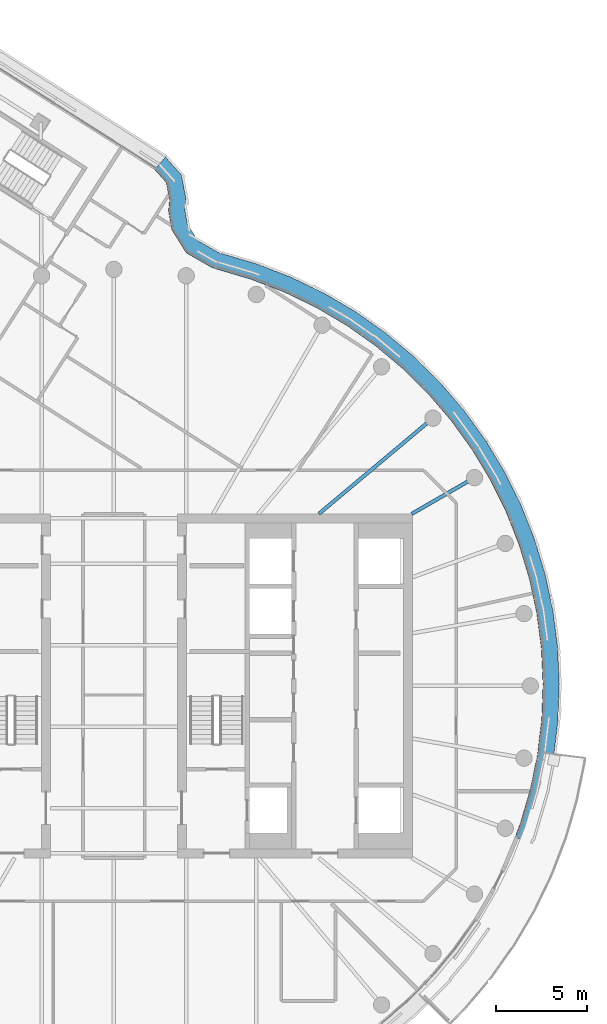
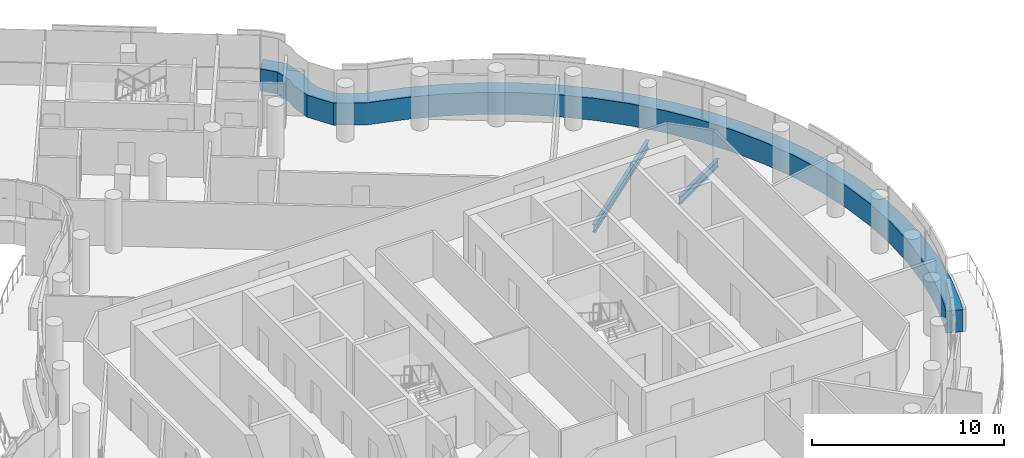
# One storey, part 12 of 27: 2 beams, 1 member, 1 element without a shape of its own.
"""IFC4 building model written with IfcOpenShell, lengths in metres."""

from ifc_helpers import new_model, si_unit, direction, frame, origin, origin_2d, place, context, subcontext, project, spatial, polyline, i_section, outline, extrude, material, layer, layer_set, material_profile, profile_set, type_object, element, aggregate, save


model = new_model("IFC4")

# Units and contexts
model_context = context("Model", 3, precision=1e-05, world=origin(), true_north=direction((0.0, 1.0)))
body_context = subcontext(model_context, "Body", "Model", "MODEL_VIEW")
ifc_project = project(units=[si_unit("LENGTHUNIT", "METRE"), si_unit("AREAUNIT", "SQUARE_METRE"), si_unit("VOLUMEUNIT", "CUBIC_METRE"), si_unit("PLANEANGLEUNIT", "RADIAN"), si_unit("MASSUNIT", "GRAM", prefix="KILO")], contexts=[model_context])

# Site, building, storey
site_placement = place(None, origin())
site = spatial("IfcSite", under=ifc_project, at=site_placement, CompositionType="ELEMENT")
building_placement = place(site_placement, origin())
building = spatial("IfcBuilding", under=site, at=building_placement, Name="Tamarind Cross Interchange Tower", CompositionType="ELEMENT")
storey_placement = place(building_placement, frame((0.0, 0.0, 241.5)))
storey = spatial("IfcBuildingStorey", under=building, at=storey_placement, Name="L61", CompositionType="ELEMENT", Elevation=241.5)

# Beams
ifc_material_1 = material(Name="Steel Q355B", Category="steel")
ifc_material_profile = material_profile(ifc_material_1, i_section(OverallWidth=0.198974609375, OverallDepth=0.49609375, WebThickness=0.009033203125, FlangeThickness=0.013916015625, FilletRadius=0.012939453125, at=origin_2d()), Name="HN 496x199x9x14")
ifc_profile_set = profile_set([ifc_material_profile], Name="Steel Q355B")
beam_type = type_object("IfcBeamType", Name="Composite beam HN 496x199x9x14 Q355B", PredefinedType="BEAM", material=ifc_profile_set)
beam_1_placement = place(storey_placement, frame((19.918701171875, 11.5, -0.387939453125), z_axis=(-0.866026010844, -0.49999894854, 0.0), x_axis=(0.49999894854, -0.866026010844, 0.0)))
element("IfcBeam", 1, at=beam_1_placement, inside=storey, type_object=beam_type, Name="Beam HH03", PredefinedType="BEAM", context=body_context, shape_type="SweptSolid", body=[
    extrude(i_section(OverallWidth=0.198974609375, OverallDepth=0.49609375, WebThickness=0.009033203125, FlangeThickness=0.013916015625, FilletRadius=0.012939453125, at=origin_2d()), origin(), (0.0, 0.0, 1.0), 4.0),
])
beam_2_placement = place(storey_placement, frame((17.619140625, 14.7841796875, -0.387939453125), z_axis=(-0.766040580814, -0.642792212574, 0.0), x_axis=(0.642792212574, -0.766040580814, 0.0)))
element("IfcBeam", 2, at=beam_2_placement, inside=storey, type_object=beam_type, Name="Beam HH04", PredefinedType="BEAM", context=body_context, shape_type="SweptSolid", body=[
    extrude(i_section(OverallWidth=0.198974609375, OverallDepth=0.49609375, WebThickness=0.009033203125, FlangeThickness=0.013916015625, FilletRadius=0.012939453125, at=origin_2d()), origin(), (0.0, 0.0, 1.0), 8.220703125),
])

# Curtain wall, member
ifc_material_2 = material(Name="Aluminium 6063-T6", Category="aluminium")
ifc_layer = layer(ifc_material_2, 0.139892578125)
ifc_layer_set = layer_set([ifc_layer], Name="Aluminium 6063-T6")
curtain_wall_type = type_object("IfcCurtainWallType", Name="Hotel curtain wall, 4.5 m bays", PredefinedType="NOTDEFINED", material=ifc_layer_set)
curtain_wall_placement = place(storey_placement, origin())
curtain_wall = element("IfcCurtainWall", 3, at=curtain_wall_placement, inside=storey, type_object=curtain_wall_type, Name="CWS-L61-02", PredefinedType="NOTDEFINED")
ifc_material_3 = material(Name="Aluminium and insulated spandrel panel", Category="aluminium")
member_type = type_object("IfcMemberType", Name="Floor-edge blade transom", PredefinedType="USERDEFINED", material=ifc_material_3)
member_placement = place(storey_placement, origin())
member = element("IfcMember", 4, at=member_placement, type_object=member_type, Name="CWT-L61-02-1", ObjectType="TRANSOM", PredefinedType="USERDEFINED", context=body_context, shape_type="SweptSolid", body=[
    extrude(outline(polyline([(22.154052734375, -8.35205078125), (22.444580078125, -7.597412109375), (22.995361328125, -5.718017578125), (23.38916015625, -3.799560546875), (23.623046875, -1.855224609375), (23.695556640625, 0.10205078125), (23.606201171875, 2.058349609375), (23.35546875, 4.000732421875), (22.9453125, 5.915771484375), (22.37841796875, 7.790283203125), (21.65869140625, 9.61181640625), (20.791015625, 11.367431640625), (19.78125, 13.045654296875), (18.636474609375, 14.634521484375), (17.3642578125, 16.12353515625), (15.973388671875, 17.50244140625), (14.4736328125, 18.76171875), (12.874755859375, 19.892822265625), (11.188232421875, 20.88818359375), (9.425048828125, 21.74072265625), (7.596923828125, 22.44482421875), (5.427001953125, 23.090087890625), (4.00244140625, 23.908935546875), (3.1806640625, 25.220703125), (3.017333984375, 26.255126953125), (3.0693359375, 26.8662109375), (2.892578125, 27.79931640625), (2.258544921875, 28.50634765625), (2.846435546875, 29.198974609375), (3.730224609375, 28.21337890625), (3.9765625, 26.91259765625), (3.92333984375, 26.28759765625), (4.041015625, 25.542724609375), (4.645751953125, 24.5771484375), (5.7841796875, 23.9228515625), (7.887451171875, 23.297607421875), (9.783203125, 22.567138671875), (11.613525390625, 21.68212890625), (13.3642578125, 20.64892578125), (15.023681640625, 19.474853515625), (16.580810546875, 18.167724609375), (18.0244140625, 16.736572265625), (19.344970703125, 15.19091796875), (20.533203125, 13.54150390625), (21.581298828125, 11.799560546875), (22.482177734375, 9.97705078125), (23.229248046875, 8.08642578125), (23.817626953125, 6.140625), (24.243408203125, 4.15283203125), (24.50341796875, 2.13671875), (24.59619140625, 0.10595703125), (24.52099609375, -1.925537109375), (24.2783203125, -3.944091796875), (23.86962890625, -5.935302734375), (23.2978515625, -7.88623046875), (22.99609375, -8.66943359375), (22.154052734375, -8.35205078125)])), origin(), (0.0, 0.0, 1.0), 1.39990234375),
])
aggregate(curtain_wall, [member])

save(model, "model.ifc")
